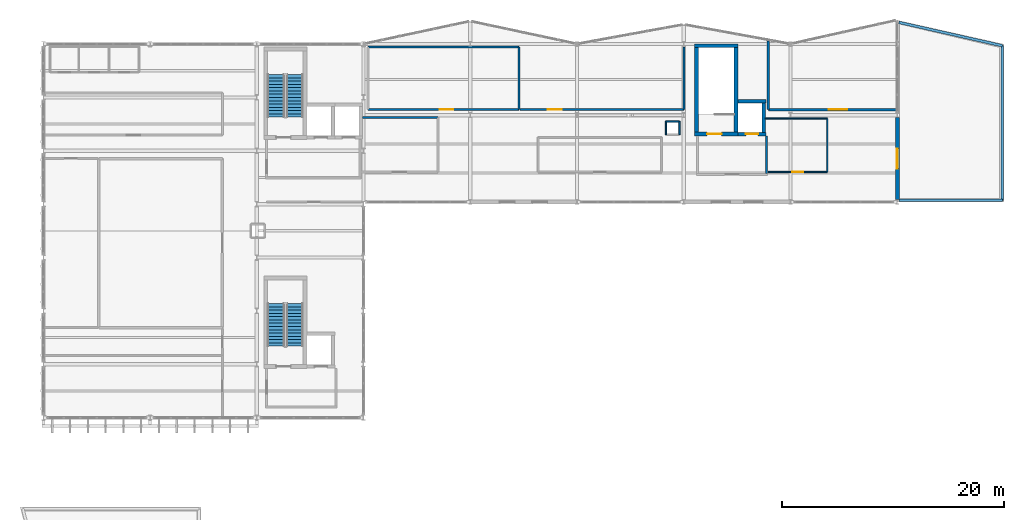
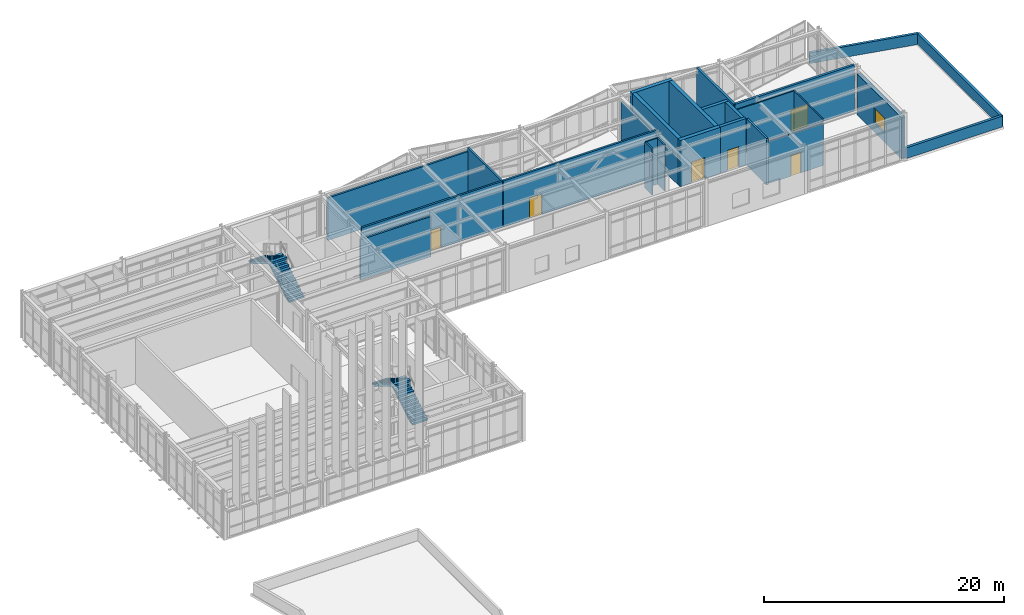
# One storey, part 24 of 28: 26 walls, 6 doors, 4 stair flights, 1 window, 7 openings, 2 elements without a shape of their own.
"""IFC4 building model written with IfcOpenShell, lengths in metres."""

from ifc_helpers import new_model, si_unit, direction, frame, frame_2d, origin, place, context, subcontext, project, spatial, polyline, rectangle, outline, extrude, material, layer, layer_set, type_object, element, fill, aggregate, save


model = new_model("IFC4")

# Units and contexts
model_context = context("Model", 3, precision=1e-05, world=origin(), true_north=direction((0.0, 1.0)))
body_context = subcontext(model_context, "Body", "Model", "MODEL_VIEW")
ifc_project = project(units=[si_unit("LENGTHUNIT", "METRE"), si_unit("AREAUNIT", "SQUARE_METRE"), si_unit("VOLUMEUNIT", "CUBIC_METRE"), si_unit("PLANEANGLEUNIT", "RADIAN"), si_unit("MASSUNIT", "GRAM", prefix="KILO")], contexts=[model_context])

# Site, building, storey
site_placement = place(None, origin())
site = spatial("IfcSite", under=ifc_project, at=site_placement, CompositionType="ELEMENT")
building_placement = place(site_placement, origin())
building = spatial("IfcBuilding", under=site, at=building_placement, Name="Nordkorset Police Headquarters", CompositionType="ELEMENT")
storey_placement = place(building_placement, frame((0.0, 0.0, 26.25)))
storey = spatial("IfcBuildingStorey", under=building, at=storey_placement, Name="L06", CompositionType="ELEMENT", Elevation=26.25)

# Wall
ifc_material_1 = material(Name="Gypsum board", Category="gypsum")
ifc_layer_1 = layer(ifc_material_1, 0.179931640625, Name="Gypsum board")
ifc_layer_set_1 = layer_set([ifc_layer_1], Name="Gypsum board")
wall_type_1 = type_object("IfcWallType", Name="Wall_Comp_180", PredefinedType="PARTITIONING", material=ifc_layer_set_1)
wall_1_placement = place(storey_placement, frame((65.06005859375, 105.14990234375, 0.0), z_axis=(0.0, 0.0, 1.0), x_axis=(0.0, 1.0, 0.0)))
element("IfcWall", 1, at=wall_1_placement, inside=storey, type_object=wall_type_1, Name="Firefighting Lobby EI 60 Wall K2 L06 E", PredefinedType="PARTITIONING", context=body_context, shape_type="SweptSolid", body=[
    extrude(rectangle(XDim=3.375, YDim=0.179931640625, at=frame_2d((1.6875, 0.0))), origin(), (0.0, 0.0, 1.0), 4.7099609375),
])

# Wall, opening, door
wall_2_placement = place(storey_placement, frame((29.199951171875, 110.89990234375, 0.0), z_axis=(0.0, 0.0, 1.0), x_axis=(1.0, 0.0, 0.0)))
wall_2 = element("IfcWall", 2, at=wall_2_placement, inside=storey, type_object=wall_type_1, Name="Interior Partition Wall Emergency 112 Call Dispatch Hall", PredefinedType="PARTITIONING", context=body_context, shape_type="SweptSolid", body=[
    extrude(rectangle(XDim=13.60009765625, YDim=0.179931640625, at=frame_2d((6.800048828125, 0.0))), origin(), (0.0, 0.0, 1.0), 4.7099609375),
])
opening_1_placement = place(wall_2_placement, frame((6.43994140625, 0.0, 0.0)))
opening_1 = element("IfcOpeningElement", 3, at=opening_1_placement, cuts=wall_2, Name="Opening DR-13", PredefinedType="OPENING", context=body_context, shape_type="SweptSolid", body=[
    extrude(rectangle(XDim=1.219970703125, YDim=2.10009765625, at=frame_2d((0.60986328125, 1.050048828125))), frame((0.0, 0.10009765625, 0.0), z_axis=(0.0, -1.0, 0.0), x_axis=(1.0, 0.0, 0.0)), (0.0, 0.0, 1.0), 0.199951171875),
])
ifc_material_2 = material(Name="Steel S355J2", Category="steel")
door_type_1 = type_object("IfcDoorType", Name="Door_FireComp_1220x2100", OperationType="NOTDEFINED", PredefinedType="DOOR", material=ifc_material_2)
door_1_placement = place(opening_1_placement, frame((1.219970703125, 0.0, 0.0), z_axis=(0.0, 0.0, 1.0), x_axis=(-1.0, 0.0, 0.0)))
door_1 = element("IfcDoor", 4, at=door_1_placement, inside=storey, type_object=door_type_1, Name="Interior Door Emergency 112 Call Dispatch Hall", OperationType="SINGLE_SWING_LEFT", OverallHeight=2.10009765625, OverallWidth=1.219970703125, PredefinedType="DOOR", context=body_context, shape_type="SweptSolid", body=[
    extrude(rectangle(XDim=1.219970703125, YDim=2.10009765625, at=frame_2d((0.60986328125, 1.050048828125))), frame((0.0, 0.02490234375, 0.0), z_axis=(0.0, -1.0, 0.0), x_axis=(1.0, 0.0, 0.0)), (0.0, 0.0, 1.0), 0.050048828125),
])
fill(opening_1, door_1)

# Walls
wall_3_placement = place(storey_placement, frame((42.800048828125, 110.89990234375, 0.0), z_axis=(0.0, 0.0, 1.0), x_axis=(0.0, 1.0, 0.0)))
element("IfcWall", 5, at=wall_3_placement, inside=storey, type_object=wall_type_1, Name="Interior Partition Wall Emergency 112 Call Dispatch Hall", PredefinedType="PARTITIONING", context=body_context, shape_type="SweptSolid", body=[
    extrude(rectangle(XDim=5.650146484375, YDim=0.179931640625, at=frame_2d((2.8251953125, 0.0))), origin(), (0.0, 0.0, 1.0), 4.7099609375),
])
wall_4_placement = place(storey_placement, frame((42.800048828125, 116.550048828125, 0.0), z_axis=(0.0, 0.0, 1.0), x_axis=(-1.0, 0.0, 0.0)))
element("IfcWall", 6, at=wall_4_placement, inside=storey, type_object=wall_type_1, Name="Interior Partition Wall Emergency 112 Call Dispatch Hall", PredefinedType="PARTITIONING", context=body_context, shape_type="SweptSolid", body=[
    extrude(rectangle(XDim=13.60009765625, YDim=0.179931640625, at=frame_2d((6.800048828125, 0.0))), origin(), (0.0, 0.0, 1.0), 4.3349609375),
])

# Wall, opening, door
wall_5_placement = place(storey_placement, frame((42.885009765625, 110.89990234375, 0.0), z_axis=(0.0, 0.0, 1.0), x_axis=(1.0, 0.0, 0.0)))
wall_5 = element("IfcWall", 7, at=wall_5_placement, inside=storey, type_object=wall_type_1, Name="Interior Partition Wall Emergency Operations Control Office", PredefinedType="PARTITIONING", context=body_context, shape_type="SweptSolid", body=[
    extrude(rectangle(XDim=14.715087890625, YDim=0.179931640625, at=frame_2d((7.357421875, 0.0))), origin(), (0.0, 0.0, 1.0), 4.7099609375),
])
opening_2_placement = place(wall_5_placement, frame((2.49755859375, 0.0, 0.0)))
opening_2 = element("IfcOpeningElement", 8, at=opening_2_placement, cuts=wall_5, Name="Opening DR-13", PredefinedType="OPENING", context=body_context, shape_type="SweptSolid", body=[
    extrude(rectangle(XDim=1.219970703125, YDim=2.10009765625, at=frame_2d((0.60986328125, 1.050048828125))), frame((0.0, 0.10009765625, 0.0), z_axis=(0.0, -1.0, 0.0), x_axis=(1.0, 0.0, 0.0)), (0.0, 0.0, 1.0), 0.199951171875),
])
door_2_placement = place(opening_2_placement, origin())
door_2 = element("IfcDoor", 9, at=door_2_placement, inside=storey, type_object=door_type_1, Name="Interior Door Emergency Operations Control Office", OperationType="SINGLE_SWING_RIGHT", OverallHeight=2.10009765625, OverallWidth=1.219970703125, PredefinedType="DOOR", context=body_context, shape_type="SweptSolid", body=[
    extrude(rectangle(XDim=1.219970703125, YDim=2.10009765625, at=frame_2d((0.60986328125, 1.050048828125))), frame((0.0, 0.02490234375, 0.0), z_axis=(0.0, -1.0, 0.0), x_axis=(1.0, 0.0, 0.0)), (0.0, 0.0, 1.0), 0.050048828125),
])
fill(opening_2, door_2)

# Walls
wall_6_placement = place(storey_placement, frame((57.60009765625, 110.89990234375, 0.0), z_axis=(0.0, 0.0, 1.0), x_axis=(0.0, 1.0, 0.0)))
element("IfcWall", 10, at=wall_6_placement, inside=storey, type_object=wall_type_1, Name="Interior Partition Wall Emergency Operations Control Office", PredefinedType="PARTITIONING", context=body_context, shape_type="SweptSolid", body=[
    extrude(rectangle(XDim=5.650146484375, YDim=0.179931640625, at=frame_2d((2.8251953125, 0.0))), origin(), (0.0, 0.0, 1.0), 4.205078125),
])
wall_7_placement = place(storey_placement, frame((35.5, 110.199951171875, 0.0), z_axis=(0.0, 0.0, 1.0), x_axis=(-1.0, 0.0, 0.0)))
element("IfcWall", 11, at=wall_7_placement, inside=storey, type_object=wall_type_1, Name="Interior Partition Wall Fire and Ambulance Joint Liaison Suite", PredefinedType="PARTITIONING", context=body_context, shape_type="SweptSolid", body=[
    extrude(rectangle(XDim=6.804931640625, YDim=0.179931640625, at=frame_2d((3.40234375, 0.0))), origin(), (0.0, 0.0, 1.0), 4.10498046875),
])

# Wall, opening, door
ifc_material_3 = material(Name="Gypsum board", Category="gypsum")
ifc_layer_2 = layer(ifc_material_3, 0.219970703125, Name="Gypsum board")
ifc_layer_set_2 = layer_set([ifc_layer_2], Name="Gypsum board")
wall_type_2 = type_object("IfcWallType", Name="Wall_Comp_220", PredefinedType="PARTITIONING", material=ifc_layer_set_2)
wall_8_placement = place(storey_placement, frame((65.199951171875, 110.89990234375, 0.0), z_axis=(0.0, 0.0, 1.0), x_axis=(1.0, 0.0, 0.0)))
wall_8 = element("IfcWall", 12, at=wall_8_placement, inside=storey, type_object=wall_type_2, Name="Interior Partition Wall Tetra Emergency Radio Control Room", PredefinedType="PARTITIONING", context=body_context, shape_type="SweptSolid", body=[
    extrude(rectangle(XDim=11.51513671875, YDim=0.219970703125, at=frame_2d((5.757568359375, 0.0))), origin(), (0.0, 0.0, 1.0), 4.7099609375),
])
opening_3_placement = place(wall_8_placement, frame((5.41748046875, 0.0, 0.0)))
opening_3 = element("IfcOpeningElement", 13, at=opening_3_placement, cuts=wall_8, Name="Opening DR-15", PredefinedType="OPENING", context=body_context, shape_type="SweptSolid", body=[
    extrude(rectangle(XDim=1.679931640625, YDim=2.199951171875, at=frame_2d((0.83984375, 1.10009765625))), frame((0.0, 0.1201171875, 0.0), z_axis=(0.0, -1.0, 0.0), x_axis=(1.0, 0.0, 0.0)), (0.0, 0.0, 1.0), 0.239990234375),
])
ifc_material_4 = material(Name="Steel S355J2", Category="steel")
door_type_2 = type_object("IfcDoorType", Name="Door_PlantDouble_1680x2200", OperationType="DOUBLE_DOOR_SINGLE_SWING", PredefinedType="DOOR", material=ifc_material_4)
door_3_placement = place(opening_3_placement, frame((1.679931640625, 0.0, 0.0), z_axis=(0.0, 0.0, 1.0), x_axis=(-1.0, 0.0, 0.0)))
door_3 = element("IfcDoor", 14, at=door_3_placement, inside=storey, type_object=door_type_2, Name="Interior Door Tetra Emergency Radio Control Room", OperationType="DOUBLE_DOOR_SINGLE_SWING", OverallHeight=2.199951171875, OverallWidth=1.679931640625, PredefinedType="DOOR", context=body_context, shape_type="SweptSolid", body=[
    extrude(rectangle(XDim=1.679931640625, YDim=2.199951171875, at=frame_2d((0.83984375, 1.10009765625))), frame((0.0, 0.02490234375, 0.0), z_axis=(0.0, -1.0, 0.0), x_axis=(1.0, 0.0, 0.0)), (0.0, 0.0, 1.0), 0.050048828125),
])
fill(opening_3, door_3)

# Wall
wall_9_placement = place(storey_placement, frame((65.199951171875, 117.078125, 0.0), z_axis=(0.0, 0.0, 1.0), x_axis=(0.0, -1.0, 0.0)))
element("IfcWall", 15, at=wall_9_placement, inside=storey, type_object=wall_type_2, Name="Interior Partition Wall Tetra Emergency Radio Control Room", PredefinedType="PARTITIONING", context=body_context, shape_type="SweptSolid", body=[
    extrude(rectangle(XDim=6.17822265625, YDim=0.219970703125, at=frame_2d((3.089111328125, 0.0))), origin(), (0.0, 0.0, 1.0), 4.7099609375),
])

# Wall, opening, door
ifc_material_5 = material(Name="Concrete C35/45", Category="concrete")
ifc_layer_3 = layer(ifc_material_5, 0.35009765625, Name="Concrete C35/45")
ifc_layer_set_3 = layer_set([ifc_layer_3], Name="Concrete C35/45")
wall_type_3 = type_object("IfcWallType", Name="Wall_CoreShear_350", PredefinedType="SHEAR", material=ifc_layer_set_3)
wall_10_placement = place(storey_placement, frame((58.574951171875, 108.699951171875, 0.0), z_axis=(0.0, 0.0, 1.0), x_axis=(1.0, 0.0, 0.0)))
wall_10 = element("IfcWall", 16, at=wall_10_placement, inside=storey, type_object=wall_type_3, Name="Core K2 Stair Shaft South Shear Wall L06", PredefinedType="SHEAR", context=body_context, shape_type="SweptSolid", body=[
    extrude(rectangle(XDim=3.900146484375, YDim=0.35009765625, at=frame_2d((1.9501953125, 0.0))), origin(), (0.0, 0.0, 1.0), 4.7099609375),
])
opening_4_placement = place(wall_10_placement, frame((1.125, 0.0, 0.0)))
opening_4 = element("IfcOpeningElement", 17, at=opening_4_placement, cuts=wall_10, Name="Opening DR-20", PredefinedType="OPENING", context=body_context, shape_type="SweptSolid", body=[
    extrude(rectangle(XDim=1.300048828125, YDim=2.14990234375, at=frame_2d((0.64990234375, 1.074951171875))), frame((0.0, 0.18505859375, 0.0), z_axis=(0.0, -1.0, 0.0), x_axis=(1.0, 0.0, 0.0)), (0.0, 0.0, 1.0), 0.3701171875),
])
ifc_material_6 = material(Name="Steel S355J2", Category="steel")
door_type_3 = type_object("IfcDoorType", Name="Door_Stair_1300x2150", OperationType="NOTDEFINED", PredefinedType="DOOR", material=ifc_material_6)
door_4_placement = place(opening_4_placement, frame((1.300048828125, 0.0, 0.0), z_axis=(0.0, 0.0, 1.0), x_axis=(-1.0, 0.0, 0.0)))
door_4 = element("IfcDoor", 18, at=door_4_placement, inside=storey, type_object=door_type_3, Name="Protected Stair Fire Door ST-02 L06", OperationType="SINGLE_SWING_RIGHT", OverallHeight=2.14990234375, OverallWidth=1.300048828125, PredefinedType="DOOR", context=body_context, shape_type="SweptSolid", body=[
    extrude(rectangle(XDim=1.300048828125, YDim=2.14990234375, at=frame_2d((0.64990234375, 1.074951171875))), frame((0.0, 0.02490234375, 0.0), z_axis=(0.0, -1.0, 0.0), x_axis=(1.0, 0.0, 0.0)), (0.0, 0.0, 1.0), 0.050048828125),
])
fill(opening_4, door_4)

# Walls
wall_11_placement = place(storey_placement, frame((58.574951171875, 116.64990234375, 0.0), z_axis=(0.0, 0.0, 1.0), x_axis=(1.0, 0.0, 0.0)))
element("IfcWall", 19, at=wall_11_placement, inside=storey, type_object=wall_type_3, Name="Core K2 Stair Shaft North Shear Wall L06", PredefinedType="SHEAR", context=body_context, shape_type="SweptSolid", body=[
    extrude(rectangle(XDim=3.900146484375, YDim=0.35009765625, at=frame_2d((1.9501953125, 0.0))), origin(), (0.0, 0.0, 1.0), 4.7099609375),
])
for number, where, z_axis, x_axis, name in (
    (20, (58.75, 108.875, 0.0), (0.0, 0.0, 1.0), (0.0, 1.0, 0.0), "Core K2 Stair Shaft West Shear Wall L06"),
    (21, (62.300048828125, 108.875, 0.0), (0.0, 0.0, 1.0), (0.0, 1.0, 0.0), "Core K2 Stair Shaft East Shear Wall L06"),
):
    element("IfcWall", number, at=place(storey_placement, frame(where, z_axis=z_axis, x_axis=x_axis)), inside=storey, type_object=wall_type_3, Name=name, PredefinedType="SHEAR", context=body_context, shape_type="SweptSolid", body=[
        extrude(rectangle(XDim=7.60009765625, YDim=0.35009765625, at=frame_2d((3.800048828125, 0.0))), origin(), (0.0, 0.0, 1.0), 4.7099609375),
    ])

# Wall, opening, window
ifc_material_7 = material(Name="Precast concrete C40/50", Category="concrete")
ifc_layer_4 = layer(ifc_material_7, 0.360107421875, Name="Precast concrete C40/50")
ifc_layer_set_4 = layer_set([ifc_layer_4], Name="Precast concrete C40/50")
wall_type_4 = type_object("IfcWallType", Name="Wall_ExtPrecast_360", PredefinedType="SOLIDWALL", material=ifc_layer_set_4)
wall_12_placement = place(storey_placement, frame((76.800048828125, 102.802001953125, 0.0), z_axis=(0.0, 0.0, 1.0), x_axis=(0.0, 1.0, 0.0)))
wall_12 = element("IfcWall", 22, at=wall_12_placement, inside=storey, type_object=wall_type_4, Name="Exterior Insulated Precast Wall L06 V2E-L06A", PredefinedType="SOLIDWALL", context=body_context, shape_type="SweptSolid", body=[
    extrude(rectangle(XDim=7.39599609375, YDim=0.360107421875, at=frame_2d((3.697998046875, 0.0))), origin(), (0.0, 0.0, 1.0), 4.205078125),
])
opening_5_placement = place(wall_12_placement, frame((2.798095703125, 0.0, 0.89990234375)))
opening_5 = element("IfcOpeningElement", 23, at=opening_5_placement, cuts=wall_12, Name="Opening WN-26", PredefinedType="OPENING", context=body_context, shape_type="SweptSolid", body=[
    extrude(rectangle(XDim=1.800048828125, YDim=1.550048828125, at=frame_2d((0.89990234375, 0.77490234375))), frame((0.0, 0.18994140625, 0.0), z_axis=(0.0, -1.0, 0.0), x_axis=(1.0, 0.0, 0.0)), (0.0, 0.0, 1.0), 0.380126953125),
])
ifc_material_8 = material(Name="Low-iron triple glazing", Category="glass")
window_type = type_object("IfcWindowType", Name="Win_1800x1550", PartitioningType="SINGLE_PANEL", PredefinedType="WINDOW", material=ifc_material_8)
window_placement = place(opening_5_placement, origin())
window = element("IfcWindow", 24, at=window_placement, inside=storey, type_object=window_type, Name="Triple-Glazed Exterior Window L06 V2E-L06A-1", OverallHeight=1.550048828125, OverallWidth=1.800048828125, PartitioningType="SINGLE_PANEL", PredefinedType="WINDOW", context=body_context, shape_type="SweptSolid", body=[
    extrude(rectangle(XDim=1.800048828125, YDim=1.550048828125, at=frame_2d((0.89990234375, 0.77490234375))), frame((0.0, 0.030029296875, 0.0), z_axis=(0.0, -1.0, 0.0), x_axis=(1.0, 0.0, 0.0)), (0.0, 0.0, 1.0), 0.06005859375),
])
fill(opening_5, window)

# Walls
ifc_material_9 = material(Name="Precast concrete C40/50", Category="concrete")
ifc_layer_5 = layer(ifc_material_9, 0.239990234375, Name="Precast concrete C40/50")
ifc_layer_set_5 = layer_set([ifc_layer_5], Name="Precast concrete C40/50")
wall_type_5 = type_object("IfcWallType", Name="Wall_Parapet_240", PredefinedType="PARAPET", material=ifc_layer_set_5)
wall_13_placement = place(storey_placement, frame((76.949951171875, 102.75, 0.0), z_axis=(0.0, 0.0, 1.0), x_axis=(1.0, 0.0, 0.0)))
element("IfcWall", 25, at=wall_13_placement, inside=storey, type_object=wall_type_5, Name="Flat Roof Parapet Wall V2ESTEP-L06-1", PredefinedType="PARAPET", context=body_context, shape_type="SweptSolid", body=[
    extrude(rectangle(XDim=9.300048828125, YDim=0.239990234375, at=frame_2d((4.64990234375, 0.0))), origin(), (0.0, 0.0, 1.0), 1.10009765625),
])
wall_14_placement = place(storey_placement, frame((86.25, 102.75, 0.0), z_axis=(0.0, 0.0, 1.0), x_axis=(0.0, 1.0, 0.0)))
element("IfcWall", 26, at=wall_14_placement, inside=storey, type_object=wall_type_5, Name="Flat Roof Parapet Wall V2ESTEP-L06-2", PredefinedType="PARAPET", context=body_context, shape_type="SweptSolid", body=[
    extrude(rectangle(XDim=13.89990234375, YDim=0.239990234375, at=frame_2d((6.949951171875, 0.0))), origin(), (0.0, 0.0, 1.0), 1.10009765625),
])
wall_15_placement = place(storey_placement, frame((86.25, 116.64990234375, 0.0), z_axis=(0.0, 0.0, 1.0), x_axis=(-0.975439049829, 0.220269516883, 0.0)))
element("IfcWall", 27, at=wall_15_placement, inside=storey, type_object=wall_type_5, Name="Flat Roof Parapet Wall V2ESTEP-L06-3", PredefinedType="PARAPET", context=body_context, shape_type="SweptSolid", body=[
    extrude(rectangle(XDim=9.5341796875, YDim=0.239990234375, at=frame_2d((4.76708984375, 0.0))), origin(), (0.0, 0.0, 1.0), 1.10009765625),
])

# Wall, opening, door
ifc_material_10 = material(Name="Gypsum board", Category="gypsum")
ifc_layer_6 = layer(ifc_material_10, 0.1201171875, Name="Gypsum board")
ifc_layer_set_6 = layer_set([ifc_layer_6], Name="Gypsum board")
wall_type_6 = type_object("IfcWallType", Name="Wall_Part_120", PredefinedType="PARTITIONING", material=ifc_layer_set_6)
wall_16_placement = place(storey_placement, frame((65.199951171875, 105.300048828125, 0.0), z_axis=(0.0, 0.0, 1.0), x_axis=(1.0, 0.0, 0.0)))
wall_16 = element("IfcWall", 28, at=wall_16_placement, inside=storey, type_object=wall_type_6, Name="Interior Partition Wall Dispatcher Rest Area", PredefinedType="PARTITIONING", context=body_context, shape_type="SweptSolid", body=[
    extrude(rectangle(XDim=5.300048828125, YDim=0.1201171875, at=frame_2d((2.64990234375, 0.0))), origin(), (0.0, 0.0, 1.0), 4.284912109375),
])
opening_6_placement = place(wall_16_placement, frame((2.169921875, 0.0, 0.0)))
opening_6 = element("IfcOpeningElement", 29, at=opening_6_placement, cuts=wall_16, Name="Opening DR-08", PredefinedType="OPENING", context=body_context, shape_type="SweptSolid", body=[
    extrude(rectangle(XDim=0.9599609375, YDim=2.080078125, at=frame_2d((0.47998046875, 1.0400390625))), frame((0.0, 0.070068359375, 0.0), z_axis=(0.0, -1.0, 0.0), x_axis=(1.0, 0.0, 0.0)), (0.0, 0.0, 1.0), 0.14013671875),
])
ifc_material_11 = material(Name="Glulam GL30c", Category="wood")
door_type_4 = type_object("IfcDoorType", Name="Door_Welfare_960x2080", OperationType="NOTDEFINED", PredefinedType="DOOR", material=ifc_material_11)
door_5_placement = place(opening_6_placement, frame((0.9599609375, 0.0, 0.0), z_axis=(0.0, 0.0, 1.0), x_axis=(-1.0, 0.0, 0.0)))
door_5 = element("IfcDoor", 30, at=door_5_placement, inside=storey, type_object=door_type_4, Name="Interior Door Dispatcher Rest Area", OperationType="SINGLE_SWING_RIGHT", OverallHeight=2.080078125, OverallWidth=0.9599609375, PredefinedType="DOOR", context=body_context, shape_type="SweptSolid", body=[
    extrude(rectangle(XDim=0.9599609375, YDim=2.080078125, at=frame_2d((0.47998046875, 1.0400390625))), frame((0.0, 0.02490234375, 0.0), z_axis=(0.0, -1.0, 0.0), x_axis=(1.0, 0.0, 0.0)), (0.0, 0.0, 1.0), 0.050048828125),
])
fill(opening_6, door_5)

# Walls
wall_17_placement = place(storey_placement, frame((70.5, 105.300048828125, 0.0), z_axis=(0.0, 0.0, 1.0), x_axis=(0.0, 1.0, 0.0)))
element("IfcWall", 31, at=wall_17_placement, inside=storey, type_object=wall_type_6, Name="Interior Partition Wall Dispatcher Rest Area", PredefinedType="PARTITIONING", context=body_context, shape_type="SweptSolid", body=[
    extrude(rectangle(XDim=4.800048828125, YDim=0.1201171875, at=frame_2d((2.39990234375, 0.0))), origin(), (0.0, 0.0, 1.0), 4.7099609375),
])
wall_18_placement = place(storey_placement, frame((70.5, 110.10009765625, 0.0), z_axis=(0.0, 0.0, 1.0), x_axis=(-1.0, 0.0, 0.0)))
element("IfcWall", 32, at=wall_18_placement, inside=storey, type_object=wall_type_6, Name="Interior Partition Wall Dispatcher Rest Area", PredefinedType="PARTITIONING", context=body_context, shape_type="SweptSolid", body=[
    extrude(rectangle(XDim=5.554931640625, YDim=0.1201171875, at=frame_2d((2.77734375, 0.0))), origin(), (0.0, 0.0, 1.0), 4.7099609375),
])
ifc_material_12 = material(Name="Gypsum board", Category="gypsum")
ifc_layer_7 = layer(ifc_material_12, 0.125, Name="Gypsum board")
ifc_layer_set_7 = layer_set([ifc_layer_7], Name="Gypsum board")
wall_type_7 = type_object("IfcWallType", Name="Wall_Riser_125", PredefinedType="PARTITIONING", material=ifc_layer_set_7)
wall_19_placement = place(storey_placement, frame((57.199951171875, 108.64990234375, 0.0), z_axis=(0.0, 0.0, 1.0), x_axis=(0.0, 1.0, 0.0)))
element("IfcWall", 33, at=wall_19_placement, inside=storey, type_object=wall_type_7, Name="Service Riser Enclosure RSR-V2 L06", PredefinedType="PARTITIONING", context=body_context, shape_type="SweptSolid", body=[
    extrude(rectangle(XDim=1.2001953125, YDim=0.125, at=frame_2d((0.60009765625, 0.0))), origin(), (0.0, 0.0, 1.0), 4.7099609375),
])
wall_20_placement = place(storey_placement, frame((57.199951171875, 109.85009765625, 0.0), z_axis=(0.0, 0.0, 1.0), x_axis=(-1.0, 0.0, 0.0)))
element("IfcWall", 34, at=wall_20_placement, inside=storey, type_object=wall_type_7, Name="Service Riser Enclosure RSR-V2 L06", PredefinedType="PARTITIONING", context=body_context, shape_type="SweptSolid", body=[
    extrude(rectangle(XDim=1.199951171875, YDim=0.125, at=frame_2d((0.60009765625, 0.0))), origin(), (0.0, 0.0, 1.0), 4.7099609375),
])
wall_21_placement = place(storey_placement, frame((56.0, 109.85009765625, 0.0), z_axis=(0.0, 0.0, 1.0), x_axis=(0.0, -1.0, 0.0)))
element("IfcWall", 35, at=wall_21_placement, inside=storey, type_object=wall_type_7, Name="Service Riser Enclosure RSR-V2 L06", PredefinedType="PARTITIONING", context=body_context, shape_type="SweptSolid", body=[
    extrude(rectangle(XDim=1.2001953125, YDim=0.125, at=frame_2d((0.60009765625, 0.0))), origin(), (0.0, 0.0, 1.0), 4.7099609375),
])

# Wall, opening, door
ifc_material_13 = material(Name="Concrete C35/45", Category="concrete")
ifc_layer_8 = layer(ifc_material_13, 0.300048828125, Name="Concrete C35/45")
ifc_layer_set_8 = layer_set([ifc_layer_8], Name="Concrete C35/45")
wall_type_8 = type_object("IfcWallType", Name="Wall_ShaftShear_300", PredefinedType="SHEAR", material=ifc_layer_set_8)
wall_22_placement = place(storey_placement, frame((62.47509765625, 108.699951171875, 0.0), z_axis=(0.0, 0.0, 1.0), x_axis=(1.0, 0.0, 0.0)))
wall_22 = element("IfcWall", 36, at=wall_22_placement, inside=storey, type_object=wall_type_8, Name="Lift Shaft LF-04 Front Shear Wall L06", PredefinedType="SHEAR", context=body_context, shape_type="SweptSolid", body=[
    extrude(rectangle(XDim=2.5, YDim=0.300048828125, at=frame_2d((1.25, 0.0))), origin(), (0.0, 0.0, 1.0), 4.7099609375),
])
opening_7_placement = place(wall_22_placement, frame((0.699951171875, 0.0, 0.0)))
opening_7 = element("IfcOpeningElement", 37, at=opening_7_placement, cuts=wall_22, Name="Opening LD-04", PredefinedType="OPENING", context=body_context, shape_type="SweptSolid", body=[
    extrude(rectangle(XDim=1.10009765625, YDim=2.10009765625, at=frame_2d((0.550048828125, 1.050048828125))), frame((0.0, 0.16015625, 0.0), z_axis=(0.0, -1.0, 0.0), x_axis=(1.0, 0.0, 0.0)), (0.0, 0.0, 1.0), 0.320068359375),
])
ifc_material_14 = material(Name="Steel S355J2", Category="steel")
door_type_5 = type_object("IfcDoorType", Name="Door_LiftLanding_1100x2100", OperationType="SLIDING_TO_LEFT", PredefinedType="DOOR", material=ifc_material_14)
door_6_placement = place(opening_7_placement, frame((1.10009765625, 0.0, 0.0), z_axis=(0.0, 0.0, 1.0), x_axis=(-1.0, 0.0, 0.0)))
door_6 = element("IfcDoor", 38, at=door_6_placement, inside=storey, type_object=door_type_5, Name="Lift Landing Sliding Door LF-04 L06", OperationType="SLIDING_TO_LEFT", OverallHeight=2.10009765625, OverallWidth=1.10009765625, PredefinedType="DOOR", context=body_context, shape_type="SweptSolid", body=[
    extrude(rectangle(XDim=1.10009765625, YDim=2.10009765625, at=frame_2d((0.550048828125, 1.050048828125))), frame((0.0, 0.02490234375, 0.0), z_axis=(0.0, -1.0, 0.0), x_axis=(1.0, 0.0, 0.0)), (0.0, 0.0, 1.0), 0.050048828125),
])
fill(opening_7, door_6)

# Walls
wall_23_placement = place(storey_placement, frame((62.47509765625, 111.64990234375, 0.0), z_axis=(0.0, 0.0, 1.0), x_axis=(1.0, 0.0, 0.0)))
element("IfcWall", 39, at=wall_23_placement, inside=storey, type_object=wall_type_8, Name="Lift Shaft LF-04 Rear Shear Wall L06", PredefinedType="SHEAR", context=body_context, shape_type="SweptSolid", body=[
    extrude(rectangle(XDim=2.5, YDim=0.300048828125, at=frame_2d((1.25, 0.0))), origin(), (0.0, 0.0, 1.0), 4.7099609375),
])
wall_24_placement = place(storey_placement, frame((64.800048828125, 108.85009765625, 0.0), z_axis=(0.0, 0.0, 1.0), x_axis=(0.0, 1.0, 0.0)))
element("IfcWall", 40, at=wall_24_placement, inside=storey, type_object=wall_type_8, Name="Lift Shaft LF-04 East Shear Wall L06", PredefinedType="SHEAR", context=body_context, shape_type="SweptSolid", body=[
    extrude(rectangle(XDim=2.64990234375, YDim=0.300048828125, at=frame_2d((1.324951171875, 0.0))), origin(), (0.0, 0.0, 1.0), 4.7099609375),
])

# Stair, stair flights
ifc_material_15 = material(Name="Concrete C35/45", Category="concrete")
stair_type = type_object("IfcStairType", Name="ST-49", PredefinedType="HALF_TURN_STAIR", material=ifc_material_15)
stair_1_placement = place(storey_placement, origin())
stair_1 = element("IfcStair", 41, at=stair_1_placement, inside=storey, type_object=stair_type, Name="L06 Protected Escape Stair ST-01", PredefinedType="HALF_TURN_STAIR")
ifc_material_16 = material(Name="Concrete C35/45", Category="concrete")
stair_flight_type = type_object("IfcStairFlightType", Name="SF-49", PredefinedType="STRAIGHT", material=ifc_material_16)
stair_flight_1_placement = place(storey_placement, frame((22.625, 110.22509765625, 0.0), z_axis=(0.0, 0.0, 1.0), x_axis=(0.0, 1.0, 0.0)))
stair_flight_1 = element("IfcStairFlight", 42, at=stair_flight_1_placement, type_object=stair_flight_type, Name="ST-01 flight 1", NumberOfRisers=14, NumberOfTreads=13, PredefinedType="STRAIGHT", RiserHeight=0.175, TreadLength=0.295, context=body_context, shape_type="SweptSolid", body=[
    extrude(outline(polyline([(0.0, 0.0), (0.0, 0.175048828125), (0.294921875, 0.175048828125), (0.294921875, 0.35009765625), (0.590087890625, 0.35009765625), (0.590087890625, 0.52490234375), (0.885009765625, 0.52490234375), (0.885009765625, 0.699951171875), (1.179931640625, 0.699951171875), (1.179931640625, 0.875), (1.47509765625, 0.875), (1.47509765625, 1.050048828125), (1.77001953125, 1.050048828125), (1.77001953125, 1.22509765625), (2.06494140625, 1.22509765625), (2.06494140625, 1.39990234375), (2.360107421875, 1.39990234375), (2.360107421875, 1.574951171875), (2.655029296875, 1.574951171875), (2.655029296875, 1.75), (2.949951171875, 1.75), (2.949951171875, 1.925048828125), (3.2451171875, 1.925048828125), (3.2451171875, 2.10009765625), (3.5400390625, 2.10009765625), (3.5400390625, 2.27490234375), (3.8349609375, 2.27490234375), (3.8349609375, 2.449951171875), (3.8349609375, 2.089111328125), (0.3134765625, 0.0), (0.0, 0.0)])), frame((0.0, 0.75, 0.0), z_axis=(0.0, -1.0, 0.0), x_axis=(1.0, 0.0, 0.0)), (0.0, 0.0, 1.0), 1.5),
])
stair_flight_2_placement = place(storey_placement, frame((20.925048828125, 114.06005859375, 2.449951171875), z_axis=(0.0, 0.0, 1.0), x_axis=(0.0, -1.0, 0.0)))
stair_flight_2 = element("IfcStairFlight", 43, at=stair_flight_2_placement, type_object=stair_flight_type, Name="ST-01 flight 2", NumberOfRisers=14, NumberOfTreads=13, PredefinedType="STRAIGHT", RiserHeight=0.175, TreadLength=0.295, context=body_context, shape_type="SweptSolid", body=[
    extrude(outline(polyline([(0.0, 0.0), (0.0, 0.175048828125), (0.294921875, 0.175048828125), (0.294921875, 0.35009765625), (0.590087890625, 0.35009765625), (0.590087890625, 0.52490234375), (0.885009765625, 0.52490234375), (0.885009765625, 0.699951171875), (1.179931640625, 0.699951171875), (1.179931640625, 0.875), (1.47509765625, 0.875), (1.47509765625, 1.050048828125), (1.77001953125, 1.050048828125), (1.77001953125, 1.22509765625), (2.06494140625, 1.22509765625), (2.06494140625, 1.39990234375), (2.360107421875, 1.39990234375), (2.360107421875, 1.574951171875), (2.655029296875, 1.574951171875), (2.655029296875, 1.75), (2.949951171875, 1.75), (2.949951171875, 1.925048828125), (3.2451171875, 1.925048828125), (3.2451171875, 2.10009765625), (3.5400390625, 2.10009765625), (3.5400390625, 2.27490234375), (3.8349609375, 2.27490234375), (3.8349609375, 2.449951171875), (3.8349609375, 2.089111328125), (0.3134765625, 0.0), (0.0, 0.0)])), frame((0.0, 0.75, 0.0), z_axis=(0.0, -1.0, 0.0), x_axis=(1.0, 0.0, 0.0)), (0.0, 0.0, 1.0), 1.5),
])
aggregate(stair_1, [stair_flight_1, stair_flight_2])

stair_2_placement = place(storey_placement, origin())
stair_2 = element("IfcStair", 44, at=stair_2_placement, inside=storey, type_object=stair_type, Name="L06 Protected Escape Stair ST-03", PredefinedType="HALF_TURN_STAIR")
stair_flight_3_placement = place(storey_placement, frame((22.625, 89.625, 0.0), z_axis=(0.0, 0.0, 1.0), x_axis=(0.0, 1.0, 0.0)))
stair_flight_3 = element("IfcStairFlight", 45, at=stair_flight_3_placement, type_object=stair_flight_type, Name="ST-03 flight 1", NumberOfRisers=14, NumberOfTreads=13, PredefinedType="STRAIGHT", RiserHeight=0.175, TreadLength=0.295, context=body_context, shape_type="SweptSolid", body=[
    extrude(outline(polyline([(0.0, 0.0), (0.0, 0.175048828125), (0.294921875, 0.175048828125), (0.294921875, 0.35009765625), (0.590087890625, 0.35009765625), (0.590087890625, 0.52490234375), (0.885009765625, 0.52490234375), (0.885009765625, 0.699951171875), (1.179931640625, 0.699951171875), (1.179931640625, 0.875), (1.47509765625, 0.875), (1.47509765625, 1.050048828125), (1.77001953125, 1.050048828125), (1.77001953125, 1.22509765625), (2.06494140625, 1.22509765625), (2.06494140625, 1.39990234375), (2.360107421875, 1.39990234375), (2.360107421875, 1.574951171875), (2.655029296875, 1.574951171875), (2.655029296875, 1.75), (2.949951171875, 1.75), (2.949951171875, 1.925048828125), (3.2451171875, 1.925048828125), (3.2451171875, 2.10009765625), (3.5400390625, 2.10009765625), (3.5400390625, 2.27490234375), (3.8349609375, 2.27490234375), (3.8349609375, 2.449951171875), (3.8349609375, 2.089111328125), (0.3134765625, 0.0), (0.0, 0.0)])), frame((0.0, 0.75, 0.0), z_axis=(0.0, -1.0, 0.0), x_axis=(1.0, 0.0, 0.0)), (0.0, 0.0, 1.0), 1.5),
])
stair_flight_4_placement = place(storey_placement, frame((20.925048828125, 93.4599609375, 2.449951171875), z_axis=(0.0, 0.0, 1.0), x_axis=(0.0, -1.0, 0.0)))
stair_flight_4 = element("IfcStairFlight", 46, at=stair_flight_4_placement, type_object=stair_flight_type, Name="ST-03 flight 2", NumberOfRisers=14, NumberOfTreads=13, PredefinedType="STRAIGHT", RiserHeight=0.175, TreadLength=0.295, context=body_context, shape_type="SweptSolid", body=[
    extrude(outline(polyline([(0.0, 0.0), (0.0, 0.175048828125), (0.294921875, 0.175048828125), (0.294921875, 0.35009765625), (0.590087890625, 0.35009765625), (0.590087890625, 0.52490234375), (0.885009765625, 0.52490234375), (0.885009765625, 0.699951171875), (1.179931640625, 0.699951171875), (1.179931640625, 0.875), (1.47509765625, 0.875), (1.47509765625, 1.050048828125), (1.77001953125, 1.050048828125), (1.77001953125, 1.22509765625), (2.06494140625, 1.22509765625), (2.06494140625, 1.39990234375), (2.360107421875, 1.39990234375), (2.360107421875, 1.574951171875), (2.655029296875, 1.574951171875), (2.655029296875, 1.75), (2.949951171875, 1.75), (2.949951171875, 1.925048828125), (3.2451171875, 1.925048828125), (3.2451171875, 2.10009765625), (3.5400390625, 2.10009765625), (3.5400390625, 2.27490234375), (3.8349609375, 2.27490234375), (3.8349609375, 2.449951171875), (3.8349609375, 2.089111328125), (0.3134765625, 0.0), (0.0, 0.0)])), frame((0.0, 0.75, 0.0), z_axis=(0.0, -1.0, 0.0), x_axis=(1.0, 0.0, 0.0)), (0.0, 0.0, 1.0), 1.5),
])
aggregate(stair_2, [stair_flight_3, stair_flight_4])

save(model, "model.ifc")
